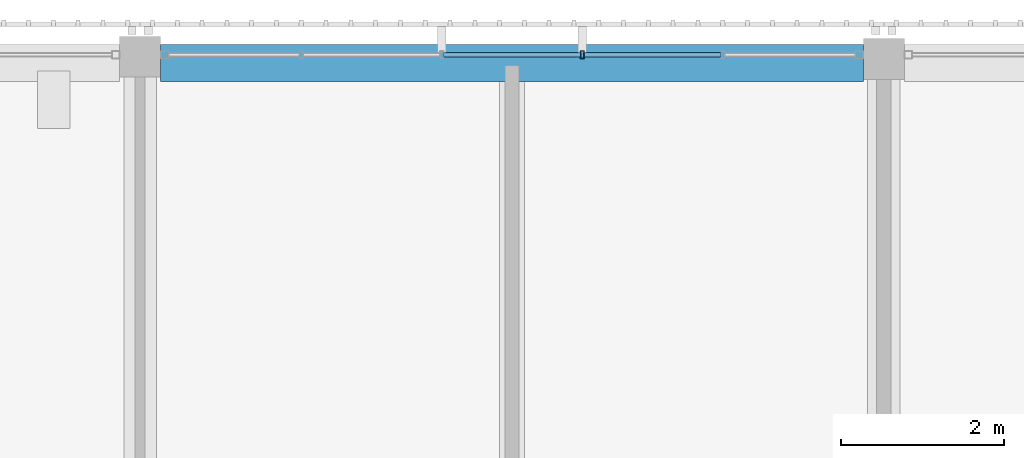
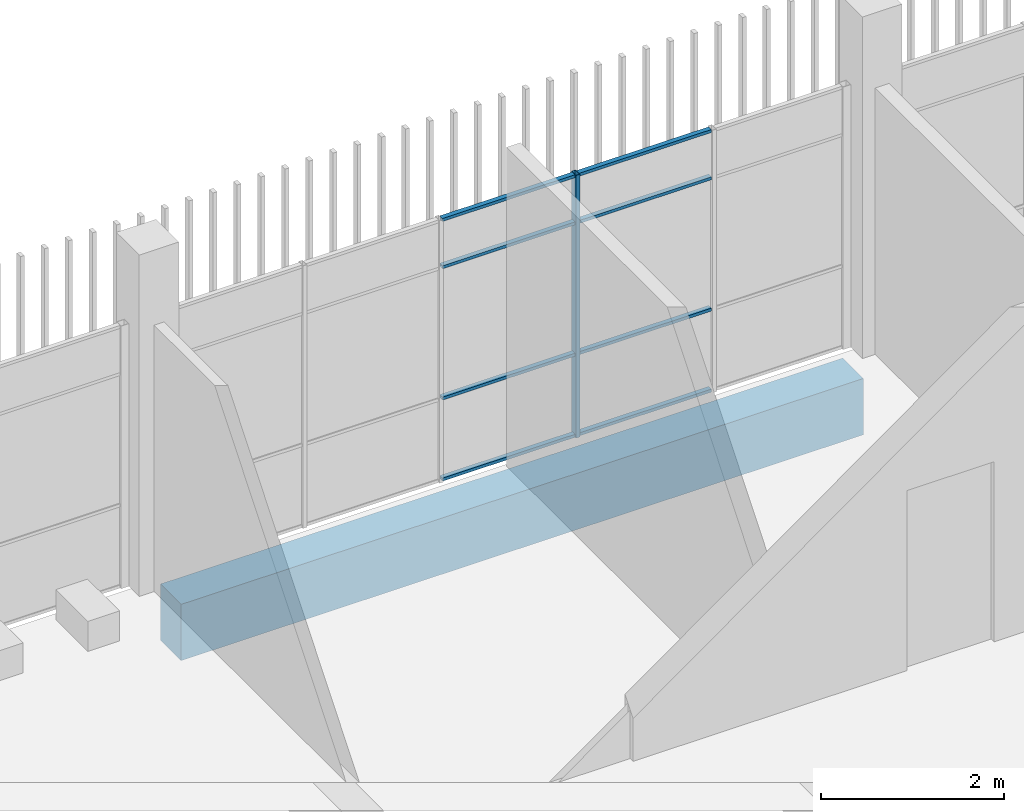
# One storey, part 41 of 124: 9 members, 1 beam, 1 element without a shape of its own.
"""IFC4 building model written with IfcOpenShell, lengths in metres."""

from ifc_helpers import new_model, si_unit, direction, frame, origin, origin_2d, place, context, subcontext, project, spatial, rectangle, hollow_rectangle, extrude, material, layer, layer_set, material_profile, profile_set, type_object, element, aggregate, save


model = new_model("IFC4")

# Units and contexts
model_context = context("Model", 3, precision=1e-05, world=origin(), true_north=direction((0.0, 1.0)))
body_context = subcontext(model_context, "Body", "Model", "MODEL_VIEW")
ifc_project = project(units=[si_unit("LENGTHUNIT", "METRE"), si_unit("AREAUNIT", "SQUARE_METRE"), si_unit("VOLUMEUNIT", "CUBIC_METRE"), si_unit("PLANEANGLEUNIT", "RADIAN"), si_unit("MASSUNIT", "GRAM", prefix="KILO")], contexts=[model_context])

# Site, building, storey
site_placement = place(None, origin())
site = spatial("IfcSite", under=ifc_project, at=site_placement, CompositionType="ELEMENT")
building_placement = place(site_placement, origin())
building = spatial("IfcBuilding", under=site, at=building_placement, Name="Shirokan Park Arena", CompositionType="ELEMENT")
storey_placement = place(building_placement, frame((0.0, 0.0, 20.02001953125)))
storey = spatial("IfcBuildingStorey", under=building, at=storey_placement, Name="L04", CompositionType="ELEMENT", Elevation=20.02001953125)

# Curtain wall, member
ifc_material_1 = material(Name="Steel and glass curtain wall", Category="steel")
ifc_layer = layer(ifc_material_1, 0.10009765625)
ifc_layer_set = layer_set([ifc_layer], Name="Steel and glass curtain wall 100 mm")
curtain_wall_type = type_object("IfcCurtainWallType", Name="Curtain wall sheltered bay 100", PredefinedType="NOTDEFINED", material=ifc_layer_set)
curtain_wall_placement = place(storey_placement, origin())
curtain_wall = element("IfcCurtainWall", 1, at=curtain_wall_placement, inside=storey, type_object=curtain_wall_type, Name="Curtain wall north bay 8 L04", PredefinedType="NOTDEFINED")
ifc_material_2 = material(Name="Steel S355", Category="steel")
ifc_material_profile_1 = material_profile(ifc_material_2, hollow_rectangle(XDim=0.10009765625, YDim=0.050048828125, WallThickness=0.0048828125, at=origin_2d()), Name="RHS 100x50x5")
ifc_profile_set_1 = profile_set([ifc_material_profile_1], Name="Steel S355")
member_type_1 = type_object("IfcMemberType", Name="Mullion RHS 100x50x5", PredefinedType="MULLION", material=ifc_profile_set_1)
member_1_placement = place(storey_placement, frame((78.2099609375, 109.300048828125, 0.0), z_axis=(0.0, 0.0, 1.0), x_axis=(0.0, -1.0, 0.0)))
member_1 = element("IfcMember", 2, at=member_1_placement, type_object=member_type_1, Name="CW2 mullion 3", PredefinedType="MULLION", context=body_context, shape_type="SweptSolid", body=[
    extrude(hollow_rectangle(XDim=0.10009765625, YDim=0.050048828125, WallThickness=0.0048828125, at=origin_2d()), origin(), (0.0, 0.0, 1.0), 3.5),
])

# Beam
ifc_material_3 = material(Name="Concrete C35", Category="concrete")
ifc_material_profile_2 = material_profile(ifc_material_3, rectangle(XDim=0.449951171875, YDim=0.75, at=origin_2d()), Name="450x750")
ifc_profile_set_2 = profile_set([ifc_material_profile_2], Name="Concrete C35")
beam_type = type_object("IfcBeamType", Name="RC girder 450x750", PredefinedType="BEAM", material=ifc_profile_set_2)
beam_placement = place(storey_placement, frame((73.050048828125, 109.199951171875, -0.625), z_axis=(1.0, 0.0, 0.0), x_axis=(0.0, 1.0, 0.0)))
element("IfcBeam", 3, at=beam_placement, inside=storey, type_object=beam_type, Name="Girder 9N-10N L04", PredefinedType="BEAM", context=body_context, shape_type="SweptSolid", body=[
    extrude(rectangle(XDim=0.449951171875, YDim=0.75, at=origin_2d()), origin(), (0.0, 0.0, 1.0), 8.599853515625),
])

# Member
ifc_material_profile_3 = material_profile(ifc_material_2, hollow_rectangle(XDim=0.06005859375, YDim=0.0400390625, WallThickness=0.00390625, at=origin_2d()), Name="RHS 60x40x4")
ifc_profile_set_3 = profile_set([ifc_material_profile_3], Name="Steel S355")
member_type_2 = type_object("IfcMemberType", Name="Transom RHS 60x40x4", PredefinedType="MULLION", material=ifc_profile_set_3)
member_2_placement = place(storey_placement, frame((79.905029296875, 109.300048828125, 0.02001953125), z_axis=(-1.0, 0.0, 0.0), x_axis=(0.0, -1.0, 0.0)))
member_2 = element("IfcMember", 4, at=member_2_placement, type_object=member_type_2, Name="CW2 transom 2.1", PredefinedType="MULLION", context=body_context, shape_type="SweptSolid", body=[
    extrude(hollow_rectangle(XDim=0.06005859375, YDim=0.0400390625, WallThickness=0.00390625, at=origin_2d()), origin(), (0.0, 0.0, 1.0), 1.669921875),
])

member_3_placement = place(storey_placement, frame((79.905029296875, 109.300048828125, 1.10009765625), z_axis=(-1.0, 0.0, 0.0), x_axis=(0.0, -1.0, 0.0)))
member_3 = element("IfcMember", 5, at=member_3_placement, type_object=member_type_2, Name="CW2 transom 2.2", PredefinedType="MULLION", context=body_context, shape_type="SweptSolid", body=[
    extrude(hollow_rectangle(XDim=0.06005859375, YDim=0.0400390625, WallThickness=0.00390625, at=origin_2d()), origin(), (0.0, 0.0, 1.0), 1.669921875),
])

member_4_placement = place(storey_placement, frame((79.905029296875, 109.300048828125, 2.85009765625), z_axis=(-1.0, 0.0, 0.0), x_axis=(0.0, -1.0, 0.0)))
member_4 = element("IfcMember", 6, at=member_4_placement, type_object=member_type_2, Name="CW2 transom 2.3", PredefinedType="MULLION", context=body_context, shape_type="SweptSolid", body=[
    extrude(hollow_rectangle(XDim=0.06005859375, YDim=0.0400390625, WallThickness=0.00390625, at=origin_2d()), origin(), (0.0, 0.0, 1.0), 1.669921875),
])

member_5_placement = place(storey_placement, frame((79.905029296875, 109.300048828125, 3.47998046875), z_axis=(-1.0, 0.0, 0.0), x_axis=(0.0, -1.0, 0.0)))
member_5 = element("IfcMember", 7, at=member_5_placement, type_object=member_type_2, Name="CW2 transom 2.4", PredefinedType="MULLION", context=body_context, shape_type="SweptSolid", body=[
    extrude(hollow_rectangle(XDim=0.06005859375, YDim=0.0400390625, WallThickness=0.00390625, at=origin_2d()), origin(), (0.0, 0.0, 1.0), 1.669921875),
])

member_6_placement = place(storey_placement, frame((78.18505859375, 109.300048828125, 0.02001953125), z_axis=(-1.0, 0.0, 0.0), x_axis=(0.0, -1.0, 0.0)))
member_6 = element("IfcMember", 8, at=member_6_placement, type_object=member_type_2, Name="CW2 transom 3.1", PredefinedType="MULLION", context=body_context, shape_type="SweptSolid", body=[
    extrude(hollow_rectangle(XDim=0.06005859375, YDim=0.0400390625, WallThickness=0.00390625, at=origin_2d()), origin(), (0.0, 0.0, 1.0), 1.670166015625),
])

member_7_placement = place(storey_placement, frame((78.18505859375, 109.300048828125, 1.10009765625), z_axis=(-1.0, 0.0, 0.0), x_axis=(0.0, -1.0, 0.0)))
member_7 = element("IfcMember", 9, at=member_7_placement, type_object=member_type_2, Name="CW2 transom 3.2", PredefinedType="MULLION", context=body_context, shape_type="SweptSolid", body=[
    extrude(hollow_rectangle(XDim=0.06005859375, YDim=0.0400390625, WallThickness=0.00390625, at=origin_2d()), origin(), (0.0, 0.0, 1.0), 1.670166015625),
])

member_8_placement = place(storey_placement, frame((78.18505859375, 109.300048828125, 2.85009765625), z_axis=(-1.0, 0.0, 0.0), x_axis=(0.0, -1.0, 0.0)))
member_8 = element("IfcMember", 10, at=member_8_placement, type_object=member_type_2, Name="CW2 transom 3.3", PredefinedType="MULLION", context=body_context, shape_type="SweptSolid", body=[
    extrude(hollow_rectangle(XDim=0.06005859375, YDim=0.0400390625, WallThickness=0.00390625, at=origin_2d()), origin(), (0.0, 0.0, 1.0), 1.670166015625),
])

member_9_placement = place(storey_placement, frame((78.18505859375, 109.300048828125, 3.47998046875), z_axis=(-1.0, 0.0, 0.0), x_axis=(0.0, -1.0, 0.0)))
member_9 = element("IfcMember", 11, at=member_9_placement, type_object=member_type_2, Name="CW2 transom 3.4", PredefinedType="MULLION", context=body_context, shape_type="SweptSolid", body=[
    extrude(hollow_rectangle(XDim=0.06005859375, YDim=0.0400390625, WallThickness=0.00390625, at=origin_2d()), origin(), (0.0, 0.0, 1.0), 1.670166015625),
])

aggregate(curtain_wall, [member_1, member_2, member_3, member_4, member_5, member_6, member_7, member_8, member_9])

save(model, "model.ifc")
